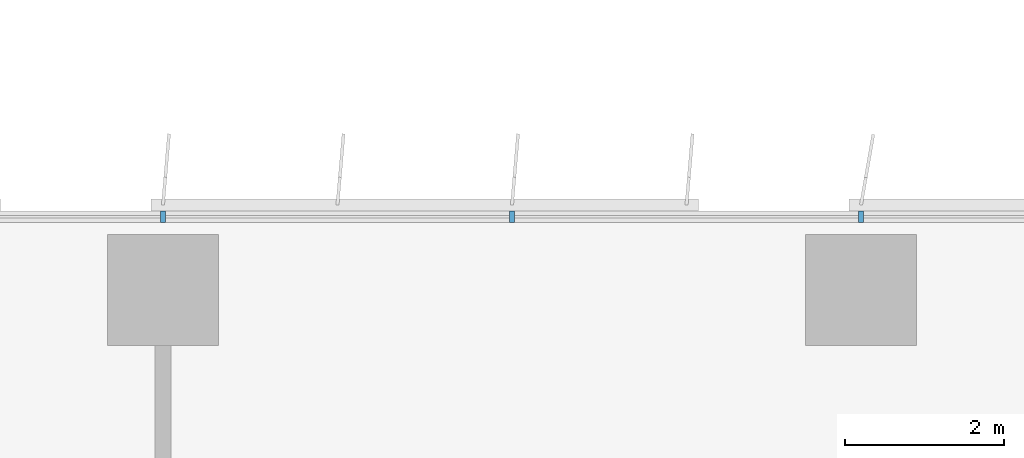
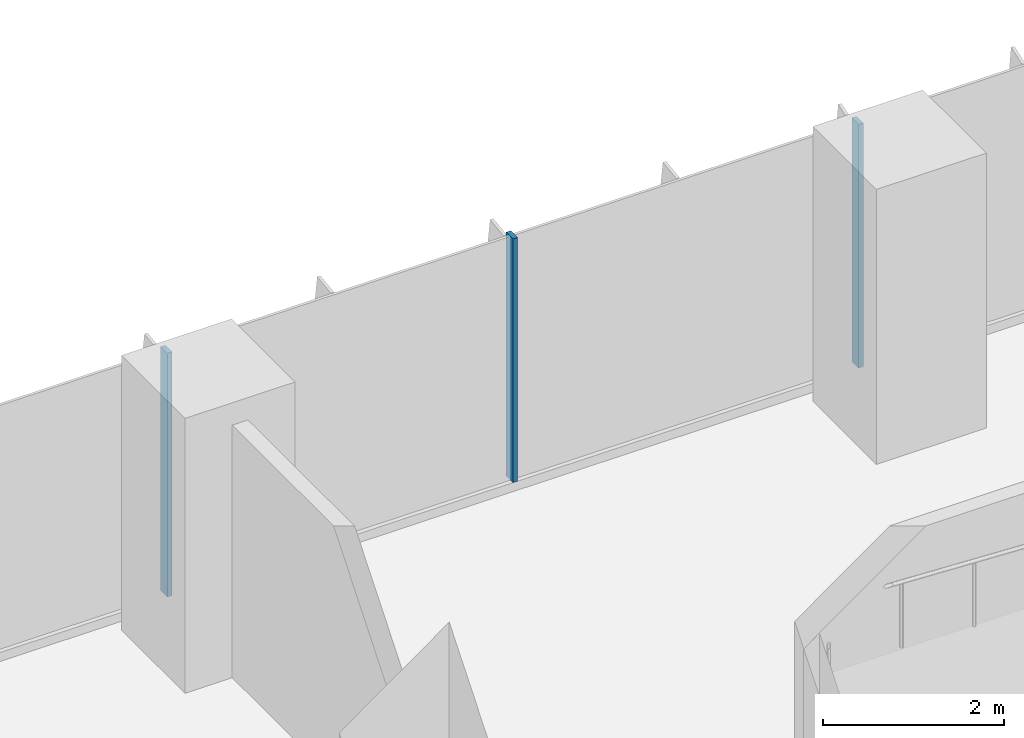
# One storey, part 4 of 24: 3 members, 1 element without a shape of its own.
"""IFC4 building model written with IfcOpenShell, lengths in metres."""

from ifc_helpers import new_model, si_unit, direction, frame, origin, origin_2d, place, context, subcontext, project, spatial, rectangle, extrude, source, transform, mapped, material, material_profile, profile_set, type_object, element, aggregate, save


model = new_model("IFC4")

# Units and contexts
model_context = context("Model", 3, precision=1e-05, world=origin(), true_north=direction((0.0, 1.0)))
body_context = subcontext(model_context, "Body", "Model", "MODEL_VIEW")
ifc_project = project(units=[si_unit("LENGTHUNIT", "METRE"), si_unit("AREAUNIT", "SQUARE_METRE"), si_unit("VOLUMEUNIT", "CUBIC_METRE"), si_unit("PLANEANGLEUNIT", "RADIAN"), si_unit("MASSUNIT", "GRAM", prefix="KILO")], contexts=[model_context])

# Site, building, storey
site_placement = place(None, origin())
site = spatial("IfcSite", under=ifc_project, at=site_placement, CompositionType="ELEMENT")
building_placement = place(site_placement, origin())
building = spatial("IfcBuilding", under=site, at=building_placement, Name="Kemantara Hotel Tower", CompositionType="ELEMENT")
storey_placement = place(building_placement, frame((0.0, 0.0, 76.0)))
storey = spatial("IfcBuildingStorey", under=building, at=storey_placement, Name="L17", CompositionType="ELEMENT", Elevation=76.0)

# Curtain wall, members
ifc_material_1 = material(Name="Low-E tinted double insulated glass 36 mm", Category="glass")
curtain_wall_type = type_object("IfcCurtainWallType", Name="TOWER CURTAIN WALL, FRONT FACES", PredefinedType="USERDEFINED", material=ifc_material_1)
curtain_wall_placement = place(storey_placement, origin())
curtain_wall = element("IfcCurtainWall", 1, at=curtain_wall_placement, inside=storey, type_object=curtain_wall_type, Name="CW4 L17 T1-R07-1", ObjectType="TOWER CURTAIN WALL, FRONT FACES", PredefinedType="USERDEFINED")
ifc_material_2 = material(Name="Aluminium 6063-T6 bronze anodised", Category="aluminium")
ifc_material_profile = material_profile(ifc_material_2, rectangle(XDim=0.14990234375, YDim=0.06005859375, at=origin_2d()), Name="TOWER CURTAIN WALL, FRONT FACES MULLION")
ifc_profile_set = profile_set([ifc_material_profile], Name="Aluminium 6063-T6 bronze anodised")
member_type = type_object("IfcMemberType", Name="TOWER CURTAIN WALL, FRONT FACES MULLION", PredefinedType="MULLION", material=ifc_profile_set)
shared_shape = source(origin(), body_context, "Body", "SweptSolid", [
    extrude(rectangle(XDim=0.14990234375, YDim=0.06005859375, at=origin_2d()), origin(), (0.0, 0.0, 1.0), 3.27978515625),
])
member_1_placement = place(storey_placement, frame((62.60009765625, 26.72509765625, 0.1201171875), z_axis=(0.0, 0.0, 1.0), x_axis=(0.0, -1.0, 0.0)))
member_1 = element("IfcMember", 2, at=member_1_placement, type_object=member_type, Name="CW4 mullion T1-R07-1.5", PredefinedType="MULLION", context=body_context, shape_type="MappedRepresentation", body=[
    mapped(shared_shape, transform((0.0, 0.0, 0.0))),
])
member_2_placement = place(storey_placement, frame((58.199951171875, 26.72509765625, 0.1201171875), z_axis=(0.0, 0.0, 1.0), x_axis=(0.0, -1.0, 0.0)))
member_2 = element("IfcMember", 3, at=member_2_placement, type_object=member_type, Name="CW4 mullion T1-R07-1.6", PredefinedType="MULLION", context=body_context, shape_type="MappedRepresentation", body=[
    mapped(shared_shape, transform((0.0, 0.0, 0.0))),
])
member_3_placement = place(storey_placement, frame((53.800048828125, 26.72509765625, 0.1201171875), z_axis=(0.0, 0.0, 1.0), x_axis=(0.0, -1.0, 0.0)))
member_3 = element("IfcMember", 4, at=member_3_placement, type_object=member_type, Name="CW4 mullion T1-R07-1.7", PredefinedType="MULLION", context=body_context, shape_type="MappedRepresentation", body=[
    mapped(shared_shape, transform((0.0, 0.0, 0.0))),
])
aggregate(curtain_wall, [member_1, member_2, member_3])

save(model, "model.ifc")
